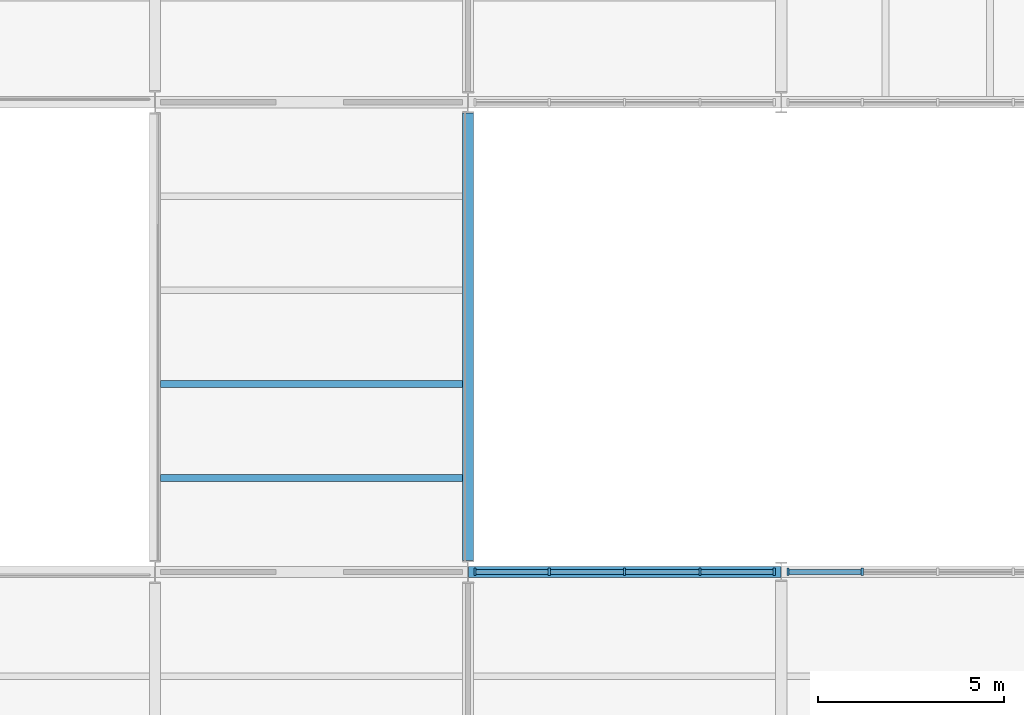
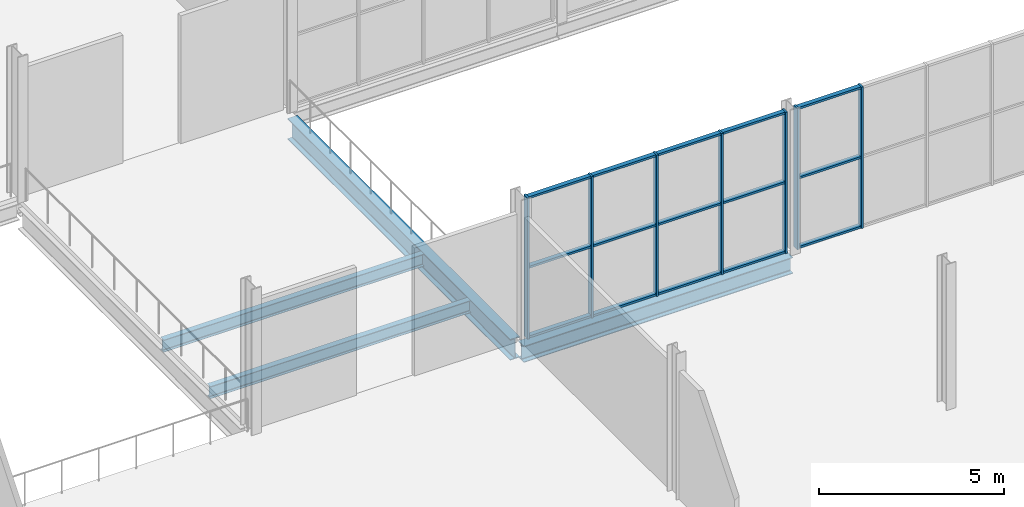
# One storey, part 20 of 61: 22 members, 4 beams, 2 elements without a shape of their own.
"""IFC4 building model written with IfcOpenShell, lengths in metres."""

import ifcopenshell
import ifcopenshell.guid

model = None  # the IFC model being written
_history = None  # IfcOwnerHistory: only IFC2X3 demands one
_inside = {}  # id of a spatial element -> (the spatial element, [elements in it])
_under = {}  # id of a project, library or spatial element -> (it, [spatial elements below it])
_declared = {}  # id of a project -> (the project, [libraries it declares])
_typed = {}  # id of a type object -> (the type object, [elements of that type])
_made_of = {}  # id of a material, layer set ... -> (it, [elements and type objects made of it])


def new_model(schema):
    """Start an empty IFC model of exactly this schema.

    Asked for "IFC4X3", IfcOpenShell would pick the latest addendum, in which some entities
    have other attributes; the version numbers below select the first issue.
    IFC2X3 requires an IfcOwnerHistory on every rooted entity: one is made here for all.
    """
    global model, _history
    if schema == "IFC4X3":
        model = ifcopenshell.file(schema_version=(4, 3, 0, 0))
    else:
        model = ifcopenshell.file(schema=schema)
    _inside.clear()
    _under.clear()
    _declared.clear()
    _typed.clear()
    _made_of.clear()
    _history = None
    if model.schema == "IFC2X3":
        org = make("IfcOrganization", Name="unknown")
        user = make(
            "IfcPersonAndOrganization",
            ThePerson=make("IfcPerson", FamilyName="unknown"),
            TheOrganization=org,
        )
        app = make(
            "IfcApplication",
            ApplicationDeveloper=org,
            Version="unknown",
            ApplicationFullName="unknown",
            ApplicationIdentifier="unknown",
        )
        _history = make(
            "IfcOwnerHistory",
            OwningUser=user,
            OwningApplication=app,
            ChangeAction="ADDED",
            CreationDate=0,
        )
    return model


def make(cls, **values):
    """One entity of the class cls with the attributes given. An attribute that is None is left unset."""
    return model.create_entity(
        cls, **{name: value for name, value in values.items() if value is not None}
    )


def rooted(cls, **values):
    """An entity with a GlobalId (a new one), such as an element, a storey or a relation."""
    return make(cls, GlobalId=ifcopenshell.guid.new(), OwnerHistory=_history, **values)


def si_unit(unit_type, name, prefix=None):
    """IfcSIUnit, for example si_unit("LENGTHUNIT", "METRE", prefix="MILLI")."""
    return make("IfcSIUnit", UnitType=unit_type, Prefix=prefix, Name=name)


def assignment(units):
    """IfcUnitAssignment: the units of a project."""
    return None if units is None else make("IfcUnitAssignment", Units=units)


def point(xyz):
    """IfcCartesianPoint."""
    return None if xyz is None else make("IfcCartesianPoint", Coordinates=xyz)


def direction(xyz):
    """IfcDirection."""
    return None if xyz is None else make("IfcDirection", DirectionRatios=xyz)


def frame(location, z_axis=None, x_axis=None):
    """IfcAxis2Placement3D, a coordinate frame: its origin and axes. An axis left out is left unset."""
    return make(
        "IfcAxis2Placement3D",
        Location=point(location),
        Axis=direction(z_axis),
        RefDirection=direction(x_axis),
    )


def frame_2d(location, x_axis=None):
    """IfcAxis2Placement2D, a coordinate frame in the plane: its origin and x axis."""
    return make(
        "IfcAxis2Placement2D", Location=point(location), RefDirection=direction(x_axis)
    )


def origin():
    """The frame at (0, 0, 0) with its axes left unset."""
    return frame((0.0, 0.0, 0.0))


def origin_2d():
    """The frame at (0, 0) in the plane with its x axis left unset."""
    return frame_2d((0.0, 0.0))


def place(relative_to, where):
    """IfcLocalPlacement: puts the frame where relative to a parent placement (None: the world)."""
    return make(
        "IfcLocalPlacement", PlacementRelTo=relative_to, RelativePlacement=where
    )


def context(
    kind, dimensions, precision=None, world=None, true_north=None, identifier=None
):
    """IfcGeometricRepresentationContext, for example the 3D "Model" context."""
    return make(
        "IfcGeometricRepresentationContext",
        ContextIdentifier=identifier,
        ContextType=kind,
        CoordinateSpaceDimension=dimensions,
        Precision=precision,
        WorldCoordinateSystem=world,
        TrueNorth=true_north,
    )


def subcontext(parent, identifier, kind, view, scale=None):
    """IfcGeometricRepresentationSubContext, for example "Body" below "Model"."""
    return make(
        "IfcGeometricRepresentationSubContext",
        ContextIdentifier=identifier,
        ContextType=kind,
        ParentContext=parent,
        TargetScale=scale,
        TargetView=view,
    )


def project(units=None, contexts=None):
    """IfcProject with its units and contexts."""
    return rooted(
        "IfcProject",
        Name="project",
        RepresentationContexts=contexts,
        UnitsInContext=assignment(units),
    )


def spatial(cls, under=None, at=None, **own):
    """A site, building, storey or space (cls), placed at a placement, below another one or the project."""
    s = rooted(cls, ObjectPlacement=at, **own)
    if under is not None:
        _under.setdefault(under.id(), (under, []))[1].append(s)
    return s


def profile(cls, at=None, kind="AREA", **sizes):
    """A parametric profile (cls). Its sizes go by their IFC names, for example OverallWidth=200.0."""
    return make(cls, ProfileType=kind, Position=at, **sizes)


def rectangle(**sizes):
    """IfcRectangleProfileDef."""
    return profile("IfcRectangleProfileDef", **sizes)


def i_section(**sizes):
    """IfcIShapeProfileDef."""
    return profile("IfcIShapeProfileDef", **sizes)


def extrude(swept, where, along, depth):
    """IfcExtrudedAreaSolid: the profile swept, set in the frame where, extruded along a direction by depth."""
    return make(
        "IfcExtrudedAreaSolid",
        SweptArea=swept,
        Position=where,
        ExtrudedDirection=direction(along),
        Depth=depth,
    )


def shape(context_of_items, identifier, shape_type, items):
    """IfcShapeRepresentation: the items that make up one representation, for example the "Body"."""
    return make(
        "IfcShapeRepresentation",
        ContextOfItems=context_of_items,
        RepresentationIdentifier=identifier,
        RepresentationType=shape_type,
        Items=items,
    )


def material(Name=None, Category=None):
    """IfcMaterial."""
    return make("IfcMaterial", Name=Name, Category=Category)


def layer(
    of_material, thickness, ventilated=None, Name=None, Category=None, Priority=None
):
    """IfcMaterialLayer: one layer of a wall or slab, of a material (None: an air gap)."""
    return make(
        "IfcMaterialLayer",
        Material=of_material,
        LayerThickness=thickness,
        IsVentilated=ventilated,
        Name=Name,
        Category=Category,
        Priority=Priority,
    )


def layer_set(layers, Name=None):
    """IfcMaterialLayerSet."""
    return make("IfcMaterialLayerSet", MaterialLayers=layers, LayerSetName=Name)


def material_profile(
    of_material, cross_section, Name=None, Category=None, Priority=None
):
    """IfcMaterialProfile: a cross section and its material."""
    return make(
        "IfcMaterialProfile",
        Name=Name,
        Material=of_material,
        Profile=cross_section,
        Priority=Priority,
        Category=Category,
    )


def profile_set(profiles, Name=None, composite=None):
    """IfcMaterialProfileSet."""
    return make(
        "IfcMaterialProfileSet",
        Name=Name,
        MaterialProfiles=profiles,
        CompositeProfile=composite,
    )


def made_of(thing, what):
    """Note that an element or type object is made of a material, layer set ...; save() writes the relation."""
    if what is not None:
        _made_of.setdefault(what.id(), (what, []))[1].append(thing)
    return thing


def type_object(cls, material=None, **own):
    """A type object (cls), such as IfcWallType, which elements share."""
    return made_of(rooted(cls, **own), material)


def element(
    cls,
    number,
    at=None,
    inside=None,
    cuts=None,
    type_object=None,
    material=None,
    context=None,
    identifier="Body",
    shape_type=None,
    held_by="IfcProductDefinitionShape",
    body=None,
    shapes=None,
    **own,
):
    """One element of the class cls, such as IfcWall. Its Tag is "e" and its number.

    at: its placement. inside: the storey or other place that contains it. cuts: it is an
    opening in that element (IfcRelVoidsElement). A single representation is given by context,
    identifier, shape_type and body (its items); several are given by shapes. held_by: the class
    of the entity that holds the representations. save() writes the other relations.
    """
    e = rooted(cls, Tag="e%d" % number, ObjectPlacement=at, **own)
    if body is not None:
        shapes = [shape(context, identifier, shape_type, body)]
    if shapes is not None:
        e.Representation = make(held_by, Representations=shapes)
    if inside is not None:
        _inside.setdefault(inside.id(), (inside, []))[1].append(e)
    if cuts is not None:
        rooted(
            "IfcRelVoidsElement", RelatingBuildingElement=cuts, RelatedOpeningElement=e
        )
    if type_object is not None:
        _typed.setdefault(type_object.id(), (type_object, []))[1].append(e)
    return made_of(e, material)


def aggregate(whole, parts):
    """IfcRelAggregates: a whole, such as a stair, and the parts it consists of."""
    return rooted("IfcRelAggregates", RelatingObject=whole, RelatedObjects=parts)


def save(model, path):
    """Write the relations noted so far, then the file.

    IfcRelAggregates (storeys below a building ...), IfcRelContainedInSpatialStructure (elements
    in a storey), IfcRelDefinesByType, IfcRelAssociatesMaterial and IfcRelDeclares: one each for
    every whole, place, type object, material and project.
    """
    for whole, parts in _under.values():
        aggregate(whole, parts)
    for where, things in _inside.values():
        rooted(
            "IfcRelContainedInSpatialStructure",
            RelatedElements=things,
            RelatingStructure=where,
        )
    for kind, things in _typed.values():
        rooted("IfcRelDefinesByType", RelatedObjects=things, RelatingType=kind)
    for what, things in _made_of.values():
        rooted("IfcRelAssociatesMaterial", RelatedObjects=things, RelatingMaterial=what)
    for by, libraries in _declared.values():
        rooted("IfcRelDeclares", RelatingContext=by, RelatedDefinitions=libraries)
    model.write(path)


model = new_model("IFC4")

# Units and contexts
model_context = context("Model", 3, precision=1e-05, world=origin(), true_north=direction((0.0, 1.0)))
body_context = subcontext(model_context, "Body", "Model", "MODEL_VIEW")
ifc_project = project(units=[si_unit("LENGTHUNIT", "METRE"), si_unit("AREAUNIT", "SQUARE_METRE"), si_unit("VOLUMEUNIT", "CUBIC_METRE"), si_unit("PLANEANGLEUNIT", "RADIAN"), si_unit("MASSUNIT", "GRAM", prefix="KILO")], contexts=[model_context])

# Site, building, storey
site_placement = place(None, origin())
site = spatial("IfcSite", under=ifc_project, at=site_placement, CompositionType="ELEMENT")
building_placement = place(site_placement, origin())
building = spatial("IfcBuilding", under=site, at=building_placement, Name="Galleria Vessillo Department Store", CompositionType="ELEMENT")
storey_placement = place(building_placement, frame((0.0, 0.0, 11.39990234375)))
storey = spatial("IfcBuildingStorey", under=building, at=storey_placement, Name="L02", CompositionType="ELEMENT", Elevation=11.39990234375)

# Curtain wall, members
ifc_material_1 = material(Name="Aluminium and glass curtain wall", Category="aluminium")
ifc_layer = layer(ifc_material_1, 0.199951171875)
ifc_layer_set = layer_set([ifc_layer], Name="Aluminium and glass curtain wall")
curtain_wall_type = type_object("IfcCurtainWallType", Name="Arcade curtain wall CW1 2100 module", PredefinedType="NOTDEFINED", material=ifc_layer_set)
curtain_wall_1_placement = place(storey_placement, origin())
curtain_wall_1 = element("IfcCurtainWall", 1, at=curtain_wall_1_placement, inside=storey, type_object=curtain_wall_type, Name="Arcade curtain wall CW1 2100 module AI-AE-S-L02-01", PredefinedType="NOTDEFINED")
ifc_material_2 = material(Name="Aluminium alloy 6063 T6", Category="aluminium")
ifc_material_profile_1 = material_profile(ifc_material_2, rectangle(XDim=0.199951171875, YDim=0.06005859375, at=origin_2d()), Name="AL 60x200")
ifc_profile_set_1 = profile_set([ifc_material_profile_1], Name="Aluminium alloy 6063 T6")
member_type_1 = type_object("IfcMemberType", Name="Aluminium mullion 60 x 200", PredefinedType="MULLION", material=ifc_profile_set_1)
member_1_placement = place(storey_placement, frame((84.1826171875, 25.199951171875, 0.0), z_axis=(0.0, 0.0, 1.0), x_axis=(0.0, 1.0, 0.0)))
member_1 = element("IfcMember", 2, at=member_1_placement, type_object=member_type_1, Name="CW1 mullion 1", PredefinedType="MULLION", context=body_context, shape_type="SweptSolid", body=[
    extrude(rectangle(XDim=0.199951171875, YDim=0.06005859375, at=origin_2d()), origin(), (0.0, 0.0, 1.0), 4.650146484375),
])
member_2_placement = place(storey_placement, frame((86.17626953125, 25.199951171875, 0.0), z_axis=(0.0, 0.0, 1.0), x_axis=(0.0, 1.0, 0.0)))
member_2 = element("IfcMember", 3, at=member_2_placement, type_object=member_type_1, Name="CW1 mullion 2", PredefinedType="MULLION", context=body_context, shape_type="SweptSolid", body=[
    extrude(rectangle(XDim=0.199951171875, YDim=0.06005859375, at=origin_2d()), origin(), (0.0, 0.0, 1.0), 4.650146484375),
])
member_3_placement = place(storey_placement, frame((88.19970703125, 25.199951171875, 0.0), z_axis=(0.0, 0.0, 1.0), x_axis=(0.0, 1.0, 0.0)))
member_3 = element("IfcMember", 4, at=member_3_placement, type_object=member_type_1, Name="CW1 mullion 3", PredefinedType="MULLION", context=body_context, shape_type="SweptSolid", body=[
    extrude(rectangle(XDim=0.199951171875, YDim=0.06005859375, at=origin_2d()), origin(), (0.0, 0.0, 1.0), 4.650146484375),
])
member_4_placement = place(storey_placement, frame((90.223388671875, 25.199951171875, 0.0), z_axis=(0.0, 0.0, 1.0), x_axis=(0.0, 1.0, 0.0)))
member_4 = element("IfcMember", 5, at=member_4_placement, type_object=member_type_1, Name="CW1 mullion 4", PredefinedType="MULLION", context=body_context, shape_type="SweptSolid", body=[
    extrude(rectangle(XDim=0.199951171875, YDim=0.06005859375, at=origin_2d()), origin(), (0.0, 0.0, 1.0), 4.650146484375),
])
member_5_placement = place(storey_placement, frame((92.216796875, 25.199951171875, 0.0), z_axis=(0.0, 0.0, 1.0), x_axis=(0.0, 1.0, 0.0)))
member_5 = element("IfcMember", 6, at=member_5_placement, type_object=member_type_1, Name="CW1 mullion 5", PredefinedType="MULLION", context=body_context, shape_type="SweptSolid", body=[
    extrude(rectangle(XDim=0.199951171875, YDim=0.06005859375, at=origin_2d()), origin(), (0.0, 0.0, 1.0), 4.650146484375),
])

curtain_wall_2_placement = place(storey_placement, origin())
curtain_wall_2 = element("IfcCurtainWall", 7, at=curtain_wall_2_placement, inside=storey, type_object=curtain_wall_type, Name="Arcade curtain wall CW1 2100 module AI-AE-S-L02-02", PredefinedType="NOTDEFINED")
member_6_placement = place(storey_placement, frame((92.5830078125, 25.199951171875, 0.0), z_axis=(0.0, 0.0, 1.0), x_axis=(0.0, 1.0, 0.0)))
member_6 = element("IfcMember", 8, at=member_6_placement, type_object=member_type_1, Name="CW1 mullion 1", PredefinedType="MULLION", context=body_context, shape_type="SweptSolid", body=[
    extrude(rectangle(XDim=0.199951171875, YDim=0.06005859375, at=origin_2d()), origin(), (0.0, 0.0, 1.0), 4.650146484375),
])
member_7_placement = place(storey_placement, frame((94.57666015625, 25.199951171875, 0.0), z_axis=(0.0, 0.0, 1.0), x_axis=(0.0, 1.0, 0.0)))
member_7 = element("IfcMember", 9, at=member_7_placement, type_object=member_type_1, Name="CW1 mullion 2", PredefinedType="MULLION", context=body_context, shape_type="SweptSolid", body=[
    extrude(rectangle(XDim=0.199951171875, YDim=0.06005859375, at=origin_2d()), origin(), (0.0, 0.0, 1.0), 4.650146484375),
])

# Member
ifc_material_3 = material(Name="Aluminium alloy 6063 T6", Category="aluminium")
ifc_material_profile_2 = material_profile(ifc_material_3, rectangle(XDim=0.139892578125, YDim=0.070068359375, at=origin_2d()), Name="AL 70x140")
ifc_profile_set_2 = profile_set([ifc_material_profile_2], Name="Aluminium alloy 6063 T6")
member_type_2 = type_object("IfcMemberType", Name="Aluminium transom 70 x 140", PredefinedType="USERDEFINED", material=ifc_profile_set_2)
member_8_placement = place(storey_placement, frame((84.212646484375, 25.199951171875, 0.034912109375), z_axis=(1.0, 0.0, 0.0), x_axis=(0.0, 1.0, 0.0)))
member_8 = element("IfcMember", 10, at=member_8_placement, type_object=member_type_2, Name="CW1 transom 1.1", ObjectType="TRANSOM", PredefinedType="USERDEFINED", context=body_context, shape_type="SweptSolid", body=[
    extrude(rectangle(XDim=0.139892578125, YDim=0.070068359375, at=origin_2d()), origin(), (0.0, 0.0, 1.0), 1.93359375),
])

member_9_placement = place(storey_placement, frame((84.212646484375, 25.199951171875, 2.3251953125), z_axis=(1.0, 0.0, 0.0), x_axis=(0.0, 1.0, 0.0)))
member_9 = element("IfcMember", 11, at=member_9_placement, type_object=member_type_2, Name="CW1 transom 1.2", ObjectType="TRANSOM", PredefinedType="USERDEFINED", context=body_context, shape_type="SweptSolid", body=[
    extrude(rectangle(XDim=0.139892578125, YDim=0.070068359375, at=origin_2d()), origin(), (0.0, 0.0, 1.0), 1.93359375),
])

member_10_placement = place(storey_placement, frame((84.212646484375, 25.199951171875, 4.615234375), z_axis=(1.0, 0.0, 0.0), x_axis=(0.0, 1.0, 0.0)))
member_10 = element("IfcMember", 12, at=member_10_placement, type_object=member_type_2, Name="CW1 transom 1.3", ObjectType="TRANSOM", PredefinedType="USERDEFINED", context=body_context, shape_type="SweptSolid", body=[
    extrude(rectangle(XDim=0.139892578125, YDim=0.070068359375, at=origin_2d()), origin(), (0.0, 0.0, 1.0), 1.93359375),
])

member_11_placement = place(storey_placement, frame((86.2060546875, 25.199951171875, 0.034912109375), z_axis=(1.0, 0.0, 0.0), x_axis=(0.0, 1.0, 0.0)))
member_11 = element("IfcMember", 13, at=member_11_placement, type_object=member_type_2, Name="CW1 transom 2.1", ObjectType="TRANSOM", PredefinedType="USERDEFINED", context=body_context, shape_type="SweptSolid", body=[
    extrude(rectangle(XDim=0.139892578125, YDim=0.070068359375, at=origin_2d()), origin(), (0.0, 0.0, 1.0), 1.963623046875),
])

member_12_placement = place(storey_placement, frame((86.2060546875, 25.199951171875, 2.3251953125), z_axis=(1.0, 0.0, 0.0), x_axis=(0.0, 1.0, 0.0)))
member_12 = element("IfcMember", 14, at=member_12_placement, type_object=member_type_2, Name="CW1 transom 2.2", ObjectType="TRANSOM", PredefinedType="USERDEFINED", context=body_context, shape_type="SweptSolid", body=[
    extrude(rectangle(XDim=0.139892578125, YDim=0.070068359375, at=origin_2d()), origin(), (0.0, 0.0, 1.0), 1.963623046875),
])

member_13_placement = place(storey_placement, frame((86.2060546875, 25.199951171875, 4.615234375), z_axis=(1.0, 0.0, 0.0), x_axis=(0.0, 1.0, 0.0)))
member_13 = element("IfcMember", 15, at=member_13_placement, type_object=member_type_2, Name="CW1 transom 2.3", ObjectType="TRANSOM", PredefinedType="USERDEFINED", context=body_context, shape_type="SweptSolid", body=[
    extrude(rectangle(XDim=0.139892578125, YDim=0.070068359375, at=origin_2d()), origin(), (0.0, 0.0, 1.0), 1.963623046875),
])

member_14_placement = place(storey_placement, frame((88.229736328125, 25.199951171875, 0.034912109375), z_axis=(1.0, 0.0, 0.0), x_axis=(0.0, 1.0, 0.0)))
member_14 = element("IfcMember", 16, at=member_14_placement, type_object=member_type_2, Name="CW1 transom 3.1", ObjectType="TRANSOM", PredefinedType="USERDEFINED", context=body_context, shape_type="SweptSolid", body=[
    extrude(rectangle(XDim=0.139892578125, YDim=0.070068359375, at=origin_2d()), origin(), (0.0, 0.0, 1.0), 1.963623046875),
])

member_15_placement = place(storey_placement, frame((88.229736328125, 25.199951171875, 2.3251953125), z_axis=(1.0, 0.0, 0.0), x_axis=(0.0, 1.0, 0.0)))
member_15 = element("IfcMember", 17, at=member_15_placement, type_object=member_type_2, Name="CW1 transom 3.2", ObjectType="TRANSOM", PredefinedType="USERDEFINED", context=body_context, shape_type="SweptSolid", body=[
    extrude(rectangle(XDim=0.139892578125, YDim=0.070068359375, at=origin_2d()), origin(), (0.0, 0.0, 1.0), 1.963623046875),
])

member_16_placement = place(storey_placement, frame((88.229736328125, 25.199951171875, 4.615234375), z_axis=(1.0, 0.0, 0.0), x_axis=(0.0, 1.0, 0.0)))
member_16 = element("IfcMember", 18, at=member_16_placement, type_object=member_type_2, Name="CW1 transom 3.3", ObjectType="TRANSOM", PredefinedType="USERDEFINED", context=body_context, shape_type="SweptSolid", body=[
    extrude(rectangle(XDim=0.139892578125, YDim=0.070068359375, at=origin_2d()), origin(), (0.0, 0.0, 1.0), 1.963623046875),
])

member_17_placement = place(storey_placement, frame((90.253173828125, 25.199951171875, 0.034912109375), z_axis=(1.0, 0.0, 0.0), x_axis=(0.0, 1.0, 0.0)))
member_17 = element("IfcMember", 19, at=member_17_placement, type_object=member_type_2, Name="CW1 transom 4.1", ObjectType="TRANSOM", PredefinedType="USERDEFINED", context=body_context, shape_type="SweptSolid", body=[
    extrude(rectangle(XDim=0.139892578125, YDim=0.070068359375, at=origin_2d()), origin(), (0.0, 0.0, 1.0), 1.93359375),
])

member_18_placement = place(storey_placement, frame((90.253173828125, 25.199951171875, 2.3251953125), z_axis=(1.0, 0.0, 0.0), x_axis=(0.0, 1.0, 0.0)))
member_18 = element("IfcMember", 20, at=member_18_placement, type_object=member_type_2, Name="CW1 transom 4.2", ObjectType="TRANSOM", PredefinedType="USERDEFINED", context=body_context, shape_type="SweptSolid", body=[
    extrude(rectangle(XDim=0.139892578125, YDim=0.070068359375, at=origin_2d()), origin(), (0.0, 0.0, 1.0), 1.93359375),
])

member_19_placement = place(storey_placement, frame((90.253173828125, 25.199951171875, 4.615234375), z_axis=(1.0, 0.0, 0.0), x_axis=(0.0, 1.0, 0.0)))
member_19 = element("IfcMember", 21, at=member_19_placement, type_object=member_type_2, Name="CW1 transom 4.3", ObjectType="TRANSOM", PredefinedType="USERDEFINED", context=body_context, shape_type="SweptSolid", body=[
    extrude(rectangle(XDim=0.139892578125, YDim=0.070068359375, at=origin_2d()), origin(), (0.0, 0.0, 1.0), 1.93359375),
])

aggregate(curtain_wall_1, [member_1, member_2, member_3, member_4, member_5, member_8, member_9, member_10, member_11, member_12, member_13, member_14, member_15, member_16, member_17, member_18, member_19])

member_20_placement = place(storey_placement, frame((92.613037109375, 25.199951171875, 0.034912109375), z_axis=(1.0, 0.0, 0.0), x_axis=(0.0, 1.0, 0.0)))
member_20 = element("IfcMember", 22, at=member_20_placement, type_object=member_type_2, Name="CW1 transom 1.1", ObjectType="TRANSOM", PredefinedType="USERDEFINED", context=body_context, shape_type="SweptSolid", body=[
    extrude(rectangle(XDim=0.139892578125, YDim=0.070068359375, at=origin_2d()), origin(), (0.0, 0.0, 1.0), 1.93359375),
])

member_21_placement = place(storey_placement, frame((92.613037109375, 25.199951171875, 2.3251953125), z_axis=(1.0, 0.0, 0.0), x_axis=(0.0, 1.0, 0.0)))
member_21 = element("IfcMember", 23, at=member_21_placement, type_object=member_type_2, Name="CW1 transom 1.2", ObjectType="TRANSOM", PredefinedType="USERDEFINED", context=body_context, shape_type="SweptSolid", body=[
    extrude(rectangle(XDim=0.139892578125, YDim=0.070068359375, at=origin_2d()), origin(), (0.0, 0.0, 1.0), 1.93359375),
])

member_22_placement = place(storey_placement, frame((92.613037109375, 25.199951171875, 4.615234375), z_axis=(1.0, 0.0, 0.0), x_axis=(0.0, 1.0, 0.0)))
member_22 = element("IfcMember", 24, at=member_22_placement, type_object=member_type_2, Name="CW1 transom 1.3", ObjectType="TRANSOM", PredefinedType="USERDEFINED", context=body_context, shape_type="SweptSolid", body=[
    extrude(rectangle(XDim=0.139892578125, YDim=0.070068359375, at=origin_2d()), origin(), (0.0, 0.0, 1.0), 1.93359375),
])

aggregate(curtain_wall_2, [member_6, member_7, member_20, member_21, member_22])

# Beams
ifc_material_4 = material(Name="Steel S355 J2", Category="steel")
ifc_material_profile_3 = material_profile(ifc_material_4, i_section(OverallWidth=0.300048828125, OverallDepth=0.68994140625, WebThickness=0.014404296875, FlangeThickness=0.027099609375, FilletRadius=0.027099609375, at=origin_2d()), Name="HEA 700")
ifc_profile_set_3 = profile_set([ifc_material_profile_3], Name="Steel S355 J2")
beam_type_1 = type_object("IfcBeamType", Name="Bridge girder HEA 700", PredefinedType="BEAM", material=ifc_profile_set_3)
beam_1_placement = place(storey_placement, frame((84.0, 25.51025390625, -0.494873046875), z_axis=(0.0, 1.0, 0.0), x_axis=(-1.0, 0.0, 0.0)))
element("IfcBeam", 25, at=beam_1_placement, inside=storey, type_object=beam_type_1, Name="S-BM-L02-BR-y84000-25510", PredefinedType="BEAM", context=body_context, shape_type="SweptSolid", body=[
    extrude(i_section(OverallWidth=0.300048828125, OverallDepth=0.68994140625, WebThickness=0.014404296875, FlangeThickness=0.027099609375, FilletRadius=0.027099609375, at=origin_2d()), origin(), (0.0, 0.0, 1.0), 12.003662109375),
])
ifc_material_5 = material(Name="Steel S355 J2", Category="steel")
ifc_material_profile_4 = material_profile(ifc_material_5, i_section(OverallWidth=0.179931640625, OverallDepth=0.39990234375, WebThickness=0.008544921875, FlangeThickness=0.013427734375, FilletRadius=0.02099609375, at=origin_2d()), Name="IPE 400")
ifc_profile_set_4 = profile_set([ifc_material_profile_4], Name="Steel S355 J2")
beam_type_2 = type_object("IfcBeamType", Name="Floor joist IPE 400", PredefinedType="JOIST", material=ifc_profile_set_4)
for number, where, z_axis, x_axis, name in (
    (26, (75.750244140625, 27.719970703125, -0.349853515625), (1.0, 0.0, 0.0), (0.0, 1.0, 0.0), "S-BM-L02-JO-x27720-75750"),
    (27, (75.750244140625, 30.239990234375, -0.349853515625), (1.0, 0.0, 0.0), (0.0, 1.0, 0.0), "S-BM-L02-JO-x30240-75750"),
):
    element("IfcBeam", number, at=place(storey_placement, frame(where, z_axis=z_axis, x_axis=x_axis)), inside=storey, type_object=beam_type_2, Name=name, PredefinedType="JOIST", context=body_context, shape_type="SweptSolid", body=[
        extrude(i_section(OverallWidth=0.179931640625, OverallDepth=0.39990234375, WebThickness=0.008544921875, FlangeThickness=0.013427734375, FilletRadius=0.02099609375, at=origin_2d()), origin(), (0.0, 0.0, 1.0), 8.099609375),
    ])
ifc_material_6 = material(Name="Steel S355 J2", Category="steel")
ifc_material_profile_5 = material_profile(ifc_material_6, i_section(OverallWidth=0.300048828125, OverallDepth=0.5400390625, WebThickness=0.012451171875, FlangeThickness=0.02392578125, FilletRadius=0.027099609375, at=origin_2d()), Name="HEA 550")
ifc_profile_set_5 = profile_set([ifc_material_profile_5], Name="Steel S355 J2")
beam_type_3 = type_object("IfcBeamType", Name="Trimmer beam HEA 550", PredefinedType="BEAM", material=ifc_profile_set_5)
beam_2_placement = place(storey_placement, frame((84.0107421875, 25.199951171875, -0.419921875), z_axis=(1.0, 0.0, 0.0), x_axis=(0.0, 1.0, 0.0)))
element("IfcBeam", 28, at=beam_2_placement, inside=storey, type_object=beam_type_3, Name="S-BM-L02-TR-x25200-84011", PredefinedType="BEAM", context=body_context, shape_type="SweptSolid", body=[
    extrude(i_section(OverallWidth=0.300048828125, OverallDepth=0.5400390625, WebThickness=0.012451171875, FlangeThickness=0.02392578125, FilletRadius=0.027099609375, at=origin_2d()), origin(), (0.0, 0.0, 1.0), 8.378662109375),
])

save(model, "model.ifc")
